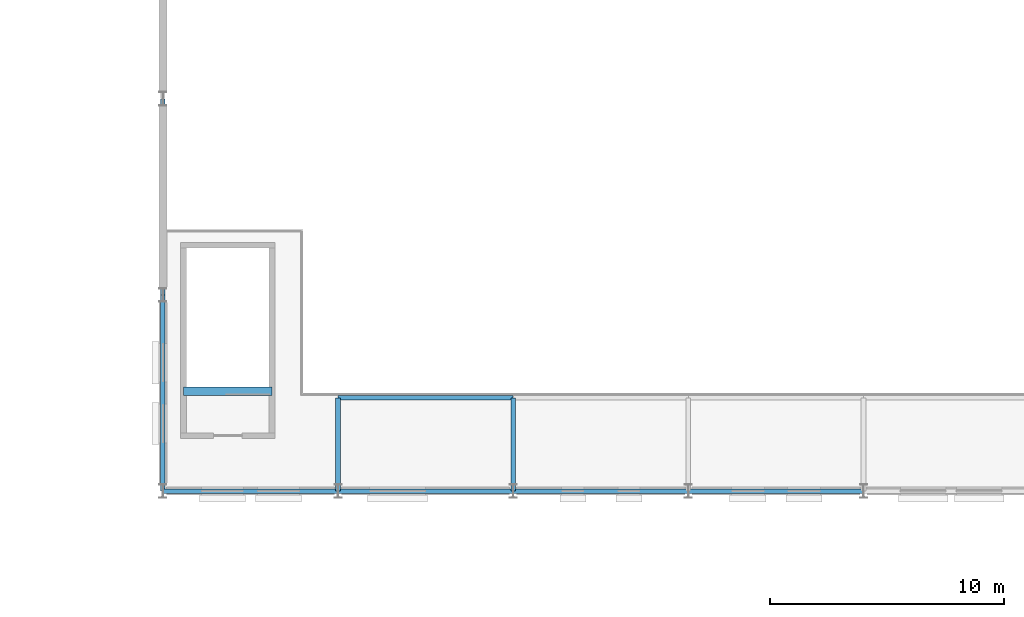
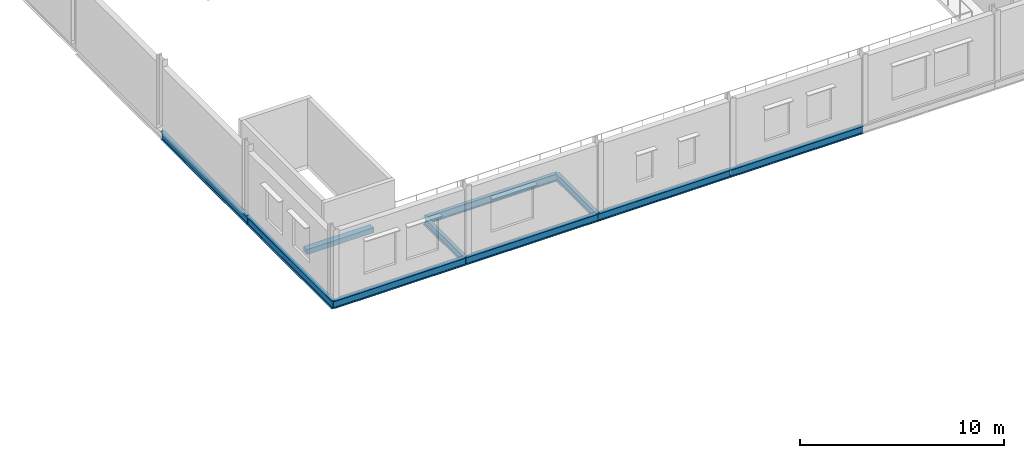
# One storey, part 32 of 75: 10 beams.
"""IFC4 building model written with IfcOpenShell, lengths in metres."""

import ifcopenshell
import ifcopenshell.guid

model = None  # the IFC model being written
_history = None  # IfcOwnerHistory: only IFC2X3 demands one
_inside = {}  # id of a spatial element -> (the spatial element, [elements in it])
_under = {}  # id of a project, library or spatial element -> (it, [spatial elements below it])
_declared = {}  # id of a project -> (the project, [libraries it declares])
_typed = {}  # id of a type object -> (the type object, [elements of that type])
_made_of = {}  # id of a material, layer set ... -> (it, [elements and type objects made of it])


def new_model(schema):
    """Start an empty IFC model of exactly this schema.

    Asked for "IFC4X3", IfcOpenShell would pick the latest addendum, in which some entities
    have other attributes; the version numbers below select the first issue.
    IFC2X3 requires an IfcOwnerHistory on every rooted entity: one is made here for all.
    """
    global model, _history
    if schema == "IFC4X3":
        model = ifcopenshell.file(schema_version=(4, 3, 0, 0))
    else:
        model = ifcopenshell.file(schema=schema)
    _inside.clear()
    _under.clear()
    _declared.clear()
    _typed.clear()
    _made_of.clear()
    _history = None
    if model.schema == "IFC2X3":
        org = make("IfcOrganization", Name="unknown")
        user = make(
            "IfcPersonAndOrganization",
            ThePerson=make("IfcPerson", FamilyName="unknown"),
            TheOrganization=org,
        )
        app = make(
            "IfcApplication",
            ApplicationDeveloper=org,
            Version="unknown",
            ApplicationFullName="unknown",
            ApplicationIdentifier="unknown",
        )
        _history = make(
            "IfcOwnerHistory",
            OwningUser=user,
            OwningApplication=app,
            ChangeAction="ADDED",
            CreationDate=0,
        )
    return model


def make(cls, **values):
    """One entity of the class cls with the attributes given. An attribute that is None is left unset."""
    return model.create_entity(
        cls, **{name: value for name, value in values.items() if value is not None}
    )


def rooted(cls, **values):
    """An entity with a GlobalId (a new one), such as an element, a storey or a relation."""
    return make(cls, GlobalId=ifcopenshell.guid.new(), OwnerHistory=_history, **values)


def si_unit(unit_type, name, prefix=None):
    """IfcSIUnit, for example si_unit("LENGTHUNIT", "METRE", prefix="MILLI")."""
    return make("IfcSIUnit", UnitType=unit_type, Prefix=prefix, Name=name)


def assignment(units):
    """IfcUnitAssignment: the units of a project."""
    return None if units is None else make("IfcUnitAssignment", Units=units)


def point(xyz):
    """IfcCartesianPoint."""
    return None if xyz is None else make("IfcCartesianPoint", Coordinates=xyz)


def direction(xyz):
    """IfcDirection."""
    return None if xyz is None else make("IfcDirection", DirectionRatios=xyz)


def frame(location, z_axis=None, x_axis=None):
    """IfcAxis2Placement3D, a coordinate frame: its origin and axes. An axis left out is left unset."""
    return make(
        "IfcAxis2Placement3D",
        Location=point(location),
        Axis=direction(z_axis),
        RefDirection=direction(x_axis),
    )


def frame_2d(location, x_axis=None):
    """IfcAxis2Placement2D, a coordinate frame in the plane: its origin and x axis."""
    return make(
        "IfcAxis2Placement2D", Location=point(location), RefDirection=direction(x_axis)
    )


def origin():
    """The frame at (0, 0, 0) with its axes left unset."""
    return frame((0.0, 0.0, 0.0))


def origin_2d():
    """The frame at (0, 0) in the plane with its x axis left unset."""
    return frame_2d((0.0, 0.0))


def place(relative_to, where):
    """IfcLocalPlacement: puts the frame where relative to a parent placement (None: the world)."""
    return make(
        "IfcLocalPlacement", PlacementRelTo=relative_to, RelativePlacement=where
    )


def context(
    kind, dimensions, precision=None, world=None, true_north=None, identifier=None
):
    """IfcGeometricRepresentationContext, for example the 3D "Model" context."""
    return make(
        "IfcGeometricRepresentationContext",
        ContextIdentifier=identifier,
        ContextType=kind,
        CoordinateSpaceDimension=dimensions,
        Precision=precision,
        WorldCoordinateSystem=world,
        TrueNorth=true_north,
    )


def subcontext(parent, identifier, kind, view, scale=None):
    """IfcGeometricRepresentationSubContext, for example "Body" below "Model"."""
    return make(
        "IfcGeometricRepresentationSubContext",
        ContextIdentifier=identifier,
        ContextType=kind,
        ParentContext=parent,
        TargetScale=scale,
        TargetView=view,
    )


def project(units=None, contexts=None):
    """IfcProject with its units and contexts."""
    return rooted(
        "IfcProject",
        Name="project",
        RepresentationContexts=contexts,
        UnitsInContext=assignment(units),
    )


def spatial(cls, under=None, at=None, **own):
    """A site, building, storey or space (cls), placed at a placement, below another one or the project."""
    s = rooted(cls, ObjectPlacement=at, **own)
    if under is not None:
        _under.setdefault(under.id(), (under, []))[1].append(s)
    return s


def profile(cls, at=None, kind="AREA", **sizes):
    """A parametric profile (cls). Its sizes go by their IFC names, for example OverallWidth=200.0."""
    return make(cls, ProfileType=kind, Position=at, **sizes)


def rectangle(**sizes):
    """IfcRectangleProfileDef."""
    return profile("IfcRectangleProfileDef", **sizes)


def i_section(**sizes):
    """IfcIShapeProfileDef."""
    return profile("IfcIShapeProfileDef", **sizes)


def extrude(swept, where, along, depth):
    """IfcExtrudedAreaSolid: the profile swept, set in the frame where, extruded along a direction by depth."""
    return make(
        "IfcExtrudedAreaSolid",
        SweptArea=swept,
        Position=where,
        ExtrudedDirection=direction(along),
        Depth=depth,
    )


def shape(context_of_items, identifier, shape_type, items):
    """IfcShapeRepresentation: the items that make up one representation, for example the "Body"."""
    return make(
        "IfcShapeRepresentation",
        ContextOfItems=context_of_items,
        RepresentationIdentifier=identifier,
        RepresentationType=shape_type,
        Items=items,
    )


def material(Name=None, Category=None):
    """IfcMaterial."""
    return make("IfcMaterial", Name=Name, Category=Category)


def material_profile(
    of_material, cross_section, Name=None, Category=None, Priority=None
):
    """IfcMaterialProfile: a cross section and its material."""
    return make(
        "IfcMaterialProfile",
        Name=Name,
        Material=of_material,
        Profile=cross_section,
        Priority=Priority,
        Category=Category,
    )


def profile_set(profiles, Name=None, composite=None):
    """IfcMaterialProfileSet."""
    return make(
        "IfcMaterialProfileSet",
        Name=Name,
        MaterialProfiles=profiles,
        CompositeProfile=composite,
    )


def made_of(thing, what):
    """Note that an element or type object is made of a material, layer set ...; save() writes the relation."""
    if what is not None:
        _made_of.setdefault(what.id(), (what, []))[1].append(thing)
    return thing


def type_object(cls, material=None, **own):
    """A type object (cls), such as IfcWallType, which elements share."""
    return made_of(rooted(cls, **own), material)


def element(
    cls,
    number,
    at=None,
    inside=None,
    cuts=None,
    type_object=None,
    material=None,
    context=None,
    identifier="Body",
    shape_type=None,
    held_by="IfcProductDefinitionShape",
    body=None,
    shapes=None,
    **own,
):
    """One element of the class cls, such as IfcWall. Its Tag is "e" and its number.

    at: its placement. inside: the storey or other place that contains it. cuts: it is an
    opening in that element (IfcRelVoidsElement). A single representation is given by context,
    identifier, shape_type and body (its items); several are given by shapes. held_by: the class
    of the entity that holds the representations. save() writes the other relations.
    """
    e = rooted(cls, Tag="e%d" % number, ObjectPlacement=at, **own)
    if body is not None:
        shapes = [shape(context, identifier, shape_type, body)]
    if shapes is not None:
        e.Representation = make(held_by, Representations=shapes)
    if inside is not None:
        _inside.setdefault(inside.id(), (inside, []))[1].append(e)
    if cuts is not None:
        rooted(
            "IfcRelVoidsElement", RelatingBuildingElement=cuts, RelatedOpeningElement=e
        )
    if type_object is not None:
        _typed.setdefault(type_object.id(), (type_object, []))[1].append(e)
    return made_of(e, material)


def aggregate(whole, parts):
    """IfcRelAggregates: a whole, such as a stair, and the parts it consists of."""
    return rooted("IfcRelAggregates", RelatingObject=whole, RelatedObjects=parts)


def save(model, path):
    """Write the relations noted so far, then the file.

    IfcRelAggregates (storeys below a building ...), IfcRelContainedInSpatialStructure (elements
    in a storey), IfcRelDefinesByType, IfcRelAssociatesMaterial and IfcRelDeclares: one each for
    every whole, place, type object, material and project.
    """
    for whole, parts in _under.values():
        aggregate(whole, parts)
    for where, things in _inside.values():
        rooted(
            "IfcRelContainedInSpatialStructure",
            RelatedElements=things,
            RelatingStructure=where,
        )
    for kind, things in _typed.values():
        rooted("IfcRelDefinesByType", RelatedObjects=things, RelatingType=kind)
    for what, things in _made_of.values():
        rooted("IfcRelAssociatesMaterial", RelatedObjects=things, RelatingMaterial=what)
    for by, libraries in _declared.values():
        rooted("IfcRelDeclares", RelatingContext=by, RelatedDefinitions=libraries)
    model.write(path)


model = new_model("IFC4")

# Units and contexts
model_context = context("Model", 3, precision=1e-05, world=origin(), true_north=direction((0.0, 1.0)))
body_context = subcontext(model_context, "Body", "Model", "MODEL_VIEW")
ifc_project = project(units=[si_unit("LENGTHUNIT", "METRE"), si_unit("AREAUNIT", "SQUARE_METRE"), si_unit("VOLUMEUNIT", "CUBIC_METRE"), si_unit("PLANEANGLEUNIT", "RADIAN"), si_unit("MASSUNIT", "GRAM", prefix="KILO")], contexts=[model_context])

# Site, building, storey
site_placement = place(None, origin())
site = spatial("IfcSite", under=ifc_project, at=site_placement, CompositionType="ELEMENT")
building_placement = place(site_placement, origin())
building = spatial("IfcBuilding", under=site, at=building_placement, Name="Yukiwa Park Conservatory and Herbarium", CompositionType="ELEMENT")
storey_placement = place(building_placement, frame((0.0, 0.0, 4.800048828125)))
storey = spatial("IfcBuildingStorey", under=building, at=storey_placement, Name="L01", CompositionType="ELEMENT", Elevation=4.800048828125)

# Beams
ifc_material_1 = material(Name="Steel Q355D", Category="steel")
ifc_material_profile_1 = material_profile(ifc_material_1, i_section(OverallWidth=0.199951171875, OverallDepth=0.449951171875, WebThickness=0.009033203125, FlangeThickness=0.013916015625, FilletRadius=0.01806640625, at=origin_2d()), Name="HN 450x200x9x14")
ifc_profile_set_1 = profile_set([ifc_material_profile_1], Name="Steel Q355D")
beam_type_1 = type_object("IfcBeamType", Name="BM-GRD-HN450", PredefinedType="BEAM", material=ifc_profile_set_1)
for number, where, z_axis, x_axis, name in (
    (1, (15.006103515625, 78.0, -0.465087890625), (1.0, 0.0, 0.0), (0.0, 1.0, 0.0), "L01 grid beam X-52"),
    (2, (22.506103515625, 78.0, -0.465087890625), (1.0, 0.0, 0.0), (0.0, 1.0, 0.0), "L01 grid beam X-53"),
    (3, (30.006103515625, 78.0, -0.465087890625), (1.0, 0.0, 0.0), (0.0, 1.0, 0.0), "L01 grid beam X-54"),
    (4, (37.506103515625, 78.0, -0.465087890625), (1.0, 0.0, 0.0), (0.0, 1.0, 0.0), "L01 grid beam X-55"),
):
    element("IfcBeam", number, at=place(storey_placement, frame(where, z_axis=z_axis, x_axis=x_axis)), inside=storey, type_object=beam_type_1, Name=name, PredefinedType="BEAM", context=body_context, shape_type="SweptSolid", body=[
        extrude(i_section(OverallWidth=0.199951171875, OverallDepth=0.449951171875, WebThickness=0.009033203125, FlangeThickness=0.013916015625, FilletRadius=0.01806640625, at=origin_2d()), origin(), (0.0, 0.0, 1.0), 7.48779296875),
    ])
for number, where, z_axis, x_axis, name in (
    (5, (22.5, 78.006103515625, -0.465087890625), (0.0, 1.0, 0.0), (-1.0, 0.0, 0.0), "Auditorium balcony radial beam 1"),
    (6, (30.0, 78.006103515625, -0.465087890625), (0.0, 1.0, 0.0), (-1.0, 0.0, 0.0), "Auditorium balcony radial beam 2"),
):
    element("IfcBeam", number, at=place(storey_placement, frame(where, z_axis=z_axis, x_axis=x_axis)), inside=storey, type_object=beam_type_1, Name=name, PredefinedType="BEAM", context=body_context, shape_type="SweptSolid", body=[
        extrude(i_section(OverallWidth=0.199951171875, OverallDepth=0.449951171875, WebThickness=0.009033203125, FlangeThickness=0.013916015625, FilletRadius=0.01806640625, at=origin_2d()), origin(), (0.0, 0.0, 1.0), 3.98779296875),
    ])
beam_1_placement = place(storey_placement, frame((22.506103515625, 82.0, -0.465087890625), z_axis=(1.0, 0.0, 0.0), x_axis=(0.0, 1.0, 0.0)))
element("IfcBeam", 7, at=beam_1_placement, inside=storey, type_object=beam_type_1, Name="Auditorium balcony front beam 1", PredefinedType="BEAM", context=body_context, shape_type="SweptSolid", body=[
    extrude(i_section(OverallWidth=0.199951171875, OverallDepth=0.449951171875, WebThickness=0.009033203125, FlangeThickness=0.013916015625, FilletRadius=0.01806640625, at=origin_2d()), origin(), (0.0, 0.0, 1.0), 7.48779296875),
])
ifc_material_2 = material(Name="Steel Q355D", Category="steel")
ifc_material_profile_2 = material_profile(ifc_material_2, i_section(OverallWidth=0.199951171875, OverallDepth=0.5, WebThickness=0.010009765625, FlangeThickness=0.01611328125, FilletRadius=0.02001953125, at=origin_2d()), Name="HN 500x200x10x16")
ifc_profile_set_2 = profile_set([ifc_material_profile_2], Name="Steel Q355D")
beam_type_2 = type_object("IfcBeamType", Name="BM-GRD-HN500", PredefinedType="BEAM", material=ifc_profile_set_2)
for number, where, z_axis, x_axis, name in (
    (8, (15.0, 78.006103515625, -0.489990234375), (0.0, 1.0, 0.0), (-1.0, 0.0, 0.0), "L01 grid girder Y-107"),
    (9, (15.0, 86.406005859375, -0.489990234375), (0.0, 1.0, 0.0), (-1.0, 0.0, 0.0), "L01 grid girder Y-108"),
):
    element("IfcBeam", number, at=place(storey_placement, frame(where, z_axis=z_axis, x_axis=x_axis)), inside=storey, type_object=beam_type_2, Name=name, PredefinedType="BEAM", context=body_context, shape_type="SweptSolid", body=[
        extrude(i_section(OverallWidth=0.199951171875, OverallDepth=0.5, WebThickness=0.010009765625, FlangeThickness=0.01611328125, FilletRadius=0.02001953125, at=origin_2d()), origin(), (0.0, 0.0, 1.0), 8.387939453125),
    ])
ifc_material_3 = material(Name="Concrete C40", Category="concrete")
ifc_material_profile_3 = material_profile(ifc_material_3, rectangle(XDim=0.35009765625, YDim=0.300048828125, at=origin_2d()), Name="RC 350x300")
ifc_profile_set_3 = profile_set([ifc_material_profile_3], Name="Concrete C40")
beam_type_3 = type_object("IfcBeamType", Name="BM-STAIR-TRIM", PredefinedType="BEAM", material=ifc_profile_set_3)
beam_2_placement = place(storey_placement, frame((15.8798828125, 82.280029296875, -0.150146484375), z_axis=(1.0, 0.0, 0.0), x_axis=(0.0, 1.0, 0.0)))
element("IfcBeam", 10, at=beam_2_placement, inside=storey, type_object=beam_type_3, Name="Stair ST-A1 L01 landing trimmer beam", PredefinedType="BEAM", context=body_context, shape_type="SweptSolid", body=[
    extrude(rectangle(XDim=0.35009765625, YDim=0.300048828125, at=origin_2d()), origin(), (0.0, 0.0, 1.0), 3.7900390625),
])

save(model, "model.ifc")
